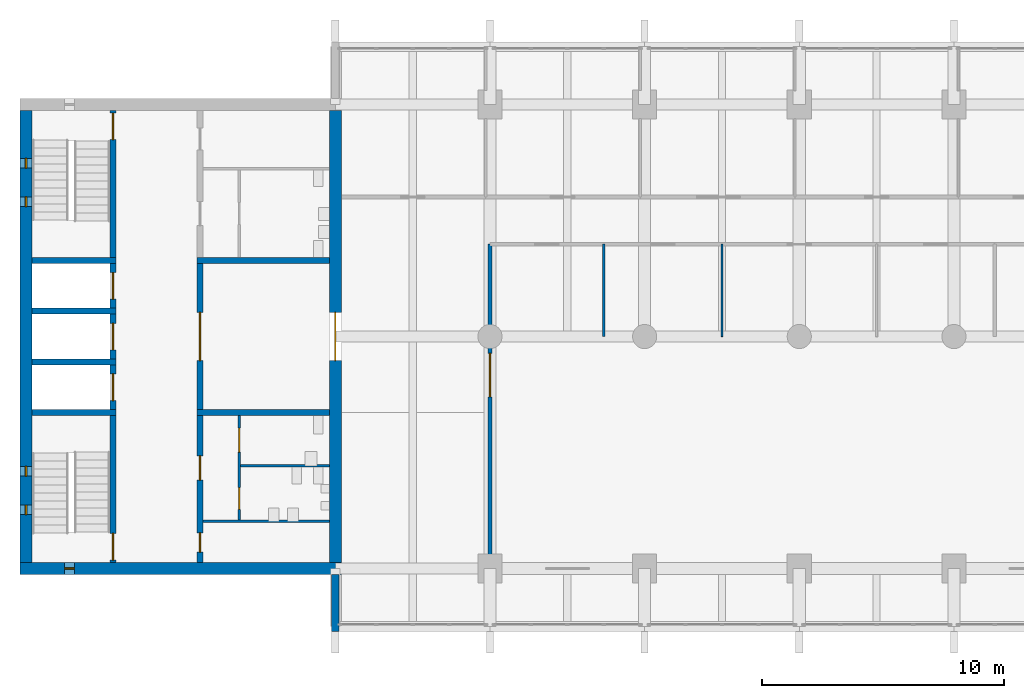
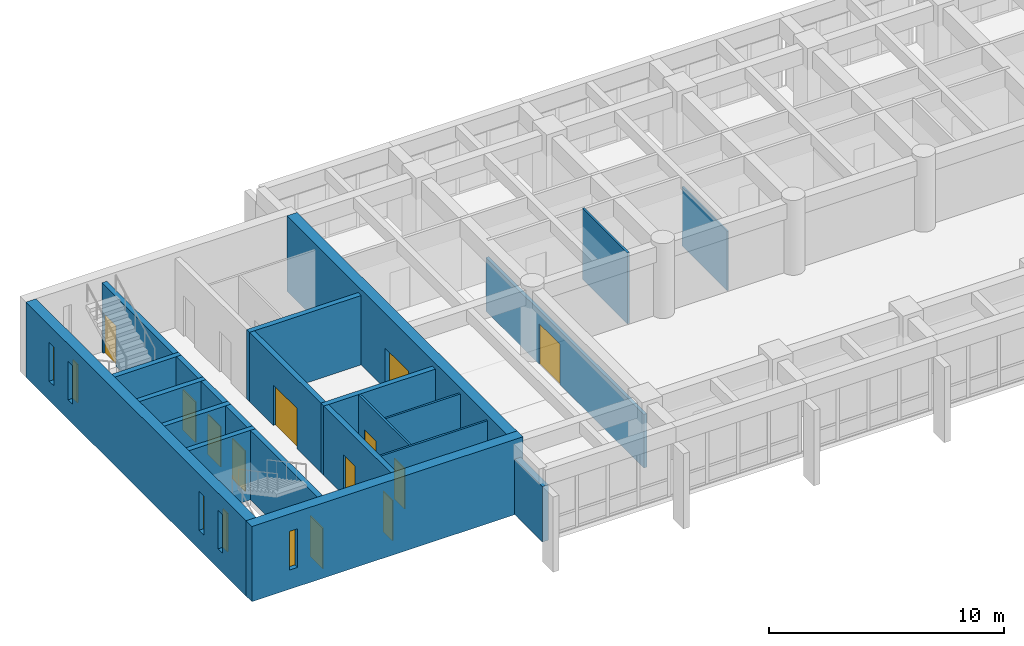
# One storey, part 9 of 15: 23 walls, 12 doors, 5 windows, 17 openings.
"""IFC4 building model written with IfcOpenShell, lengths in metres."""

from ifc_helpers import new_model, si_unit, direction, frame, frame_2d, origin, place, context, subcontext, project, spatial, rectangle, extrude, material, layer, layer_set, type_object, element, fill, save


model = new_model("IFC4")

# Units and contexts
model_context = context("Model", 3, precision=1e-05, world=origin(), true_north=direction((0.0, 1.0)))
body_context = subcontext(model_context, "Body", "Model", "MODEL_VIEW")
ifc_project = project(units=[si_unit("LENGTHUNIT", "METRE"), si_unit("AREAUNIT", "SQUARE_METRE"), si_unit("VOLUMEUNIT", "CUBIC_METRE"), si_unit("PLANEANGLEUNIT", "RADIAN"), si_unit("MASSUNIT", "GRAM", prefix="KILO")], contexts=[model_context])

# Site, building, storey
site_placement = place(None, origin())
site = spatial("IfcSite", under=ifc_project, at=site_placement, CompositionType="ELEMENT")
building_placement = place(site_placement, origin())
building = spatial("IfcBuilding", under=site, at=building_placement, Name="Fogon Plaza Fire Station and Headquarters Tower", CompositionType="ELEMENT")
storey_placement = place(building_placement, frame((0.0, 0.0, 32.699951171875)))
storey = spatial("IfcBuildingStorey", under=building, at=storey_placement, Name="L08", CompositionType="ELEMENT", Elevation=32.699951171875)

# Walls
ifc_material_1 = material(Name="Concrete C40", Category="concrete")
ifc_layer_1 = layer(ifc_material_1, 0.25)
ifc_layer_set_1 = layer_set([ifc_layer_1], Name="Concrete C40")
wall_type_1 = type_object("IfcWallType", Name="Core Wall RC 250", PredefinedType="SOLIDWALL", material=ifc_layer_set_1)
for number, where, z_axis, x_axis, name in (
    (1, (13.050048828125, 40.050048828125, 0.0), (0.0, 0.0, 1.0), (1.0, 0.0, 0.0), "Core A shaft wall"),
    (2, (13.050048828125, 42.14990234375, 0.0), (0.0, 0.0, 1.0), (1.0, 0.0, 0.0), "Core A shaft wall"),
    (3, (13.050048828125, 44.25, 0.0), (0.0, 0.0, 1.0), (1.0, 0.0, 0.0), "Core A shaft wall"),
    (4, (13.050048828125, 46.35009765625, 0.0), (0.0, 0.0, 1.0), (1.0, 0.0, 0.0), "Core A shaft wall"),
):
    element("IfcWall", number, at=place(storey_placement, frame(where, z_axis=z_axis, x_axis=x_axis)), inside=storey, type_object=wall_type_1, Name=name, PredefinedType="SOLIDWALL", context=body_context, shape_type="SweptSolid", body=[
        extrude(rectangle(XDim=3.474853515625, YDim=0.25, at=frame_2d((1.7373046875, 0.0))), origin(), (0.0, 0.0, 1.0), 3.60009765625),
    ])

# Wall, opening, door
wall_1_placement = place(storey_placement, frame((16.39990234375, 33.85009765625, 0.0), z_axis=(0.0, 0.0, 1.0), x_axis=(0.0, 1.0, 0.0)))
wall_1 = element("IfcWall", 5, at=wall_1_placement, inside=storey, type_object=wall_type_1, Name="Core A shaft wall", PredefinedType="SOLIDWALL", context=body_context, shape_type="SweptSolid", body=[
    extrude(rectangle(XDim=6.074951171875, YDim=0.25, at=frame_2d((3.03759765625, 0.0))), origin(), (0.0, 0.0, 1.0), 3.60009765625),
])
opening_1_placement = place(wall_1_placement, frame((0.10009765625, 0.0, 0.0)))
opening_1 = element("IfcOpeningElement", 6, at=opening_1_placement, cuts=wall_1, Name="Opening L08-D01", PredefinedType="OPENING", context=body_context, shape_type="SweptSolid", body=[
    extrude(rectangle(XDim=1.10009765625, YDim=2.10009765625, at=frame_2d((0.550048828125, 1.050048828125))), frame((0.0, 0.135009765625, 0.0), z_axis=(0.0, -1.0, 0.0), x_axis=(1.0, 0.0, 0.0)), (0.0, 0.0, 1.0), 0.27001953125),
])
ifc_material_2 = material(Name="Steel Fire Door Leaf", Category="steel")
door_type_1 = type_object("IfcDoorType", Name="Stair Door Single 1100x2100", OperationType="SINGLE_SWING_LEFT", PredefinedType="DOOR", material=ifc_material_2)
door_1_placement = place(opening_1_placement, origin())
door_1 = element("IfcDoor", 7, at=door_1_placement, inside=storey, type_object=door_type_1, Name="Stair door ST1", OperationType="SINGLE_SWING_LEFT", OverallHeight=2.10009765625, OverallWidth=1.10009765625, PredefinedType="DOOR", context=body_context, shape_type="SweptSolid", body=[
    extrude(rectangle(XDim=1.10009765625, YDim=2.10009765625, at=frame_2d((0.550048828125, 1.050048828125))), frame((0.0, 0.02490234375, 0.0), z_axis=(0.0, -1.0, 0.0), x_axis=(1.0, 0.0, 0.0)), (0.0, 0.0, 1.0), 0.050048828125),
])
fill(opening_1, door_1)

wall_2_placement = place(storey_placement, frame((16.39990234375, 40.175048828125, 0.0), z_axis=(0.0, 0.0, 1.0), x_axis=(0.0, 1.0, 0.0)))
wall_2 = element("IfcWall", 8, at=wall_2_placement, inside=storey, type_object=wall_type_1, Name="Core A shaft wall", PredefinedType="SOLIDWALL", context=body_context, shape_type="SweptSolid", body=[
    extrude(rectangle(XDim=1.849853515625, YDim=0.25, at=frame_2d((0.9248046875, 0.0))), origin(), (0.0, 0.0, 1.0), 3.60009765625),
])
opening_2_placement = place(wall_2_placement, frame((0.375, 0.0, 0.0)))
opening_2 = element("IfcOpeningElement", 9, at=opening_2_placement, cuts=wall_2, Name="Opening L08-D03", PredefinedType="OPENING", context=body_context, shape_type="SweptSolid", body=[
    extrude(rectangle(XDim=1.10009765625, YDim=2.10009765625, at=frame_2d((0.550048828125, 1.050048828125))), frame((0.0, 0.135009765625, 0.0), z_axis=(0.0, -1.0, 0.0), x_axis=(1.0, 0.0, 0.0)), (0.0, 0.0, 1.0), 0.27001953125),
])
ifc_material_3 = material(Name="Stainless Steel", Category="steel")
door_type_2 = type_object("IfcDoorType", Name="Lift Landing Door 1100x2100", OperationType="SLIDING_TO_LEFT", PredefinedType="DOOR", material=ifc_material_3)
door_2_placement = place(opening_2_placement, origin())
door_2 = element("IfcDoor", 10, at=door_2_placement, inside=storey, type_object=door_type_2, Name="Lift LP1 landing door", OperationType="SLIDING_TO_LEFT", OverallHeight=2.10009765625, OverallWidth=1.10009765625, PredefinedType="DOOR", context=body_context, shape_type="SweptSolid", body=[
    extrude(rectangle(XDim=1.10009765625, YDim=2.10009765625, at=frame_2d((0.550048828125, 1.050048828125))), frame((0.0, 0.02490234375, 0.0), z_axis=(0.0, -1.0, 0.0), x_axis=(1.0, 0.0, 0.0)), (0.0, 0.0, 1.0), 0.050048828125),
])
fill(opening_2, door_2)

wall_3_placement = place(storey_placement, frame((16.39990234375, 42.27490234375, 0.0), z_axis=(0.0, 0.0, 1.0), x_axis=(0.0, 1.0, 0.0)))
wall_3 = element("IfcWall", 11, at=wall_3_placement, inside=storey, type_object=wall_type_1, Name="Core A shaft wall", PredefinedType="SOLIDWALL", context=body_context, shape_type="SweptSolid", body=[
    extrude(rectangle(XDim=1.85009765625, YDim=0.25, at=frame_2d((0.925048828125, 0.0))), origin(), (0.0, 0.0, 1.0), 3.60009765625),
])
opening_3_placement = place(wall_3_placement, frame((0.375, 0.0, 0.0)))
opening_3 = element("IfcOpeningElement", 12, at=opening_3_placement, cuts=wall_3, Name="Opening L08-D04", PredefinedType="OPENING", context=body_context, shape_type="SweptSolid", body=[
    extrude(rectangle(XDim=1.10009765625, YDim=2.10009765625, at=frame_2d((0.550048828125, 1.050048828125))), frame((0.0, 0.135009765625, 0.0), z_axis=(0.0, -1.0, 0.0), x_axis=(1.0, 0.0, 0.0)), (0.0, 0.0, 1.0), 0.27001953125),
])
door_3_placement = place(opening_3_placement, origin())
door_3 = element("IfcDoor", 13, at=door_3_placement, inside=storey, type_object=door_type_2, Name="Lift LP2 landing door", OperationType="SLIDING_TO_LEFT", OverallHeight=2.10009765625, OverallWidth=1.10009765625, PredefinedType="DOOR", context=body_context, shape_type="SweptSolid", body=[
    extrude(rectangle(XDim=1.10009765625, YDim=2.10009765625, at=frame_2d((0.550048828125, 1.050048828125))), frame((0.0, 0.02490234375, 0.0), z_axis=(0.0, -1.0, 0.0), x_axis=(1.0, 0.0, 0.0)), (0.0, 0.0, 1.0), 0.050048828125),
])
fill(opening_3, door_3)

wall_4_placement = place(storey_placement, frame((16.39990234375, 44.375, 0.0), z_axis=(0.0, 0.0, 1.0), x_axis=(0.0, 1.0, 0.0)))
wall_4 = element("IfcWall", 14, at=wall_4_placement, inside=storey, type_object=wall_type_1, Name="Core A shaft wall", PredefinedType="SOLIDWALL", context=body_context, shape_type="SweptSolid", body=[
    extrude(rectangle(XDim=1.85009765625, YDim=0.25, at=frame_2d((0.925048828125, 0.0))), origin(), (0.0, 0.0, 1.0), 3.60009765625),
])
opening_4_placement = place(wall_4_placement, frame((0.375, 0.0, 0.0)))
opening_4 = element("IfcOpeningElement", 15, at=opening_4_placement, cuts=wall_4, Name="Opening L08-D05", PredefinedType="OPENING", context=body_context, shape_type="SweptSolid", body=[
    extrude(rectangle(XDim=1.10009765625, YDim=2.10009765625, at=frame_2d((0.550048828125, 1.050048828125))), frame((0.0, 0.135009765625, 0.0), z_axis=(0.0, -1.0, 0.0), x_axis=(1.0, 0.0, 0.0)), (0.0, 0.0, 1.0), 0.27001953125),
])
door_4_placement = place(opening_4_placement, origin())
door_4 = element("IfcDoor", 16, at=door_4_placement, inside=storey, type_object=door_type_2, Name="Lift FL1 landing door", OperationType="SLIDING_TO_LEFT", OverallHeight=2.10009765625, OverallWidth=1.10009765625, PredefinedType="DOOR", context=body_context, shape_type="SweptSolid", body=[
    extrude(rectangle(XDim=1.10009765625, YDim=2.10009765625, at=frame_2d((0.550048828125, 1.050048828125))), frame((0.0, 0.02490234375, 0.0), z_axis=(0.0, -1.0, 0.0), x_axis=(1.0, 0.0, 0.0)), (0.0, 0.0, 1.0), 0.050048828125),
])
fill(opening_4, door_4)

wall_5_placement = place(storey_placement, frame((16.39990234375, 46.47509765625, 0.0), z_axis=(0.0, 0.0, 1.0), x_axis=(0.0, 1.0, 0.0)))
wall_5 = element("IfcWall", 17, at=wall_5_placement, inside=storey, type_object=wall_type_1, Name="Core A shaft wall", PredefinedType="SOLIDWALL", context=body_context, shape_type="SweptSolid", body=[
    extrude(rectangle(XDim=6.074951171875, YDim=0.25, at=frame_2d((3.03759765625, 0.0))), origin(), (0.0, 0.0, 1.0), 3.60009765625),
])
opening_5_placement = place(wall_5_placement, frame((4.875, 0.0, 0.0)))
opening_5 = element("IfcOpeningElement", 18, at=opening_5_placement, cuts=wall_5, Name="Opening L08-D02", PredefinedType="OPENING", context=body_context, shape_type="SweptSolid", body=[
    extrude(rectangle(XDim=1.10009765625, YDim=2.10009765625, at=frame_2d((0.550048828125, 1.050048828125))), frame((0.0, 0.135009765625, 0.0), z_axis=(0.0, -1.0, 0.0), x_axis=(1.0, 0.0, 0.0)), (0.0, 0.0, 1.0), 0.27001953125),
])
door_5_placement = place(opening_5_placement, origin())
door_5 = element("IfcDoor", 19, at=door_5_placement, inside=storey, type_object=door_type_1, Name="Stair door ST2", OperationType="SINGLE_SWING_RIGHT", OverallHeight=2.10009765625, OverallWidth=1.10009765625, PredefinedType="DOOR", context=body_context, shape_type="SweptSolid", body=[
    extrude(rectangle(XDim=1.10009765625, YDim=2.10009765625, at=frame_2d((0.550048828125, 1.050048828125))), frame((0.0, 0.02490234375, 0.0), z_axis=(0.0, -1.0, 0.0), x_axis=(1.0, 0.0, 0.0)), (0.0, 0.0, 1.0), 0.050048828125),
])
fill(opening_5, door_5)

# Wall, openings, doors
wall_6_placement = place(storey_placement, frame((20.0, 33.85009765625, 0.0), z_axis=(0.0, 0.0, 1.0), x_axis=(0.0, 1.0, 0.0)))
wall_6 = element("IfcWall", 20, at=wall_6_placement, inside=storey, type_object=wall_type_1, Name="Core A shaft wall", PredefinedType="SOLIDWALL", context=body_context, shape_type="SweptSolid", body=[
    extrude(rectangle(XDim=6.074951171875, YDim=0.25, at=frame_2d((3.03759765625, 0.0))), origin(), (0.0, 0.0, 1.0), 3.60009765625),
])
opening_6_placement = place(wall_6_placement, frame((0.425048828125, 0.0, 0.0)))
opening_6 = element("IfcOpeningElement", 21, at=opening_6_placement, cuts=wall_6, Name="Opening L08-D08", PredefinedType="OPENING", context=body_context, shape_type="SweptSolid", body=[
    extrude(rectangle(XDim=0.800048828125, YDim=2.10009765625, at=frame_2d((0.39990234375, 1.050048828125))), frame((0.0, 0.135009765625, 0.0), z_axis=(0.0, -1.0, 0.0), x_axis=(1.0, 0.0, 0.0)), (0.0, 0.0, 1.0), 0.27001953125),
])
opening_7_placement = place(wall_6_placement, frame((3.41259765625, 0.0, 0.0)))
opening_7 = element("IfcOpeningElement", 22, at=opening_7_placement, cuts=wall_6, Name="Opening L08-D09", PredefinedType="OPENING", context=body_context, shape_type="SweptSolid", body=[
    extrude(rectangle(XDim=1.0, YDim=2.10009765625, at=frame_2d((0.5, 1.050048828125))), frame((0.0, 0.135009765625, 0.0), z_axis=(0.0, -1.0, 0.0), x_axis=(1.0, 0.0, 0.0)), (0.0, 0.0, 1.0), 0.27001953125),
])
ifc_material_4 = material(Name="Timber Door Leaf", Category="wood")
door_type_3 = type_object("IfcDoorType", Name="Cleaner Store Single 800x2100", OperationType="SINGLE_SWING_LEFT", PredefinedType="DOOR", material=ifc_material_4)
door_6_placement = place(opening_6_placement, frame((0.800048828125, 0.0, 0.0), z_axis=(0.0, 0.0, 1.0), x_axis=(-1.0, 0.0, 0.0)))
door_6 = element("IfcDoor", 23, at=door_6_placement, inside=storey, type_object=door_type_3, Name="Cleaner's store A door", OperationType="SINGLE_SWING_LEFT", OverallHeight=2.10009765625, OverallWidth=0.800048828125, PredefinedType="DOOR", context=body_context, shape_type="SweptSolid", body=[
    extrude(rectangle(XDim=0.800048828125, YDim=2.10009765625, at=frame_2d((0.39990234375, 1.050048828125))), frame((0.0, 0.02490234375, 0.0), z_axis=(0.0, -1.0, 0.0), x_axis=(1.0, 0.0, 0.0)), (0.0, 0.0, 1.0), 0.050048828125),
])
fill(opening_6, door_6)
ifc_material_5 = material(Name="Timber fire door", Category="wood")
door_type_4 = type_object("IfcDoorType", Name="WC Lobby Single 1000x2100", OperationType="SINGLE_SWING_LEFT", PredefinedType="DOOR", material=ifc_material_5)
door_7_placement = place(opening_7_placement, frame((1.0, 0.0, 0.0), z_axis=(0.0, 0.0, 1.0), x_axis=(-1.0, 0.0, 0.0)))
door_7 = element("IfcDoor", 24, at=door_7_placement, inside=storey, type_object=door_type_4, Name="Men's WC lobby A door", OperationType="SINGLE_SWING_RIGHT", OverallHeight=2.10009765625, OverallWidth=1.0, PredefinedType="DOOR", context=body_context, shape_type="SweptSolid", body=[
    extrude(rectangle(XDim=1.0, YDim=2.10009765625, at=frame_2d((0.5, 1.050048828125))), frame((0.0, 0.02490234375, 0.0), z_axis=(0.0, -1.0, 0.0), x_axis=(1.0, 0.0, 0.0)), (0.0, 0.0, 1.0), 0.050048828125),
])
fill(opening_7, door_7)

# Wall, opening, door
wall_7_placement = place(storey_placement, frame((20.0, 40.175048828125, 0.0), z_axis=(0.0, 0.0, 1.0), x_axis=(0.0, 1.0, 0.0)))
wall_7 = element("IfcWall", 25, at=wall_7_placement, inside=storey, type_object=wall_type_1, Name="Core A shaft wall", PredefinedType="SOLIDWALL", context=body_context, shape_type="SweptSolid", body=[
    extrude(rectangle(XDim=6.050048828125, YDim=0.25, at=frame_2d((3.02490234375, 0.0))), origin(), (0.0, 0.0, 1.0), 3.60009765625),
])
opening_8_placement = place(wall_7_placement, frame((2.02490234375, 0.0, 0.0)))
opening_8 = element("IfcOpeningElement", 26, at=opening_8_placement, cuts=wall_7, Name="Opening L08-D06", PredefinedType="OPENING", context=body_context, shape_type="SweptSolid", body=[
    extrude(rectangle(XDim=2.0, YDim=2.10009765625, at=frame_2d((1.0, 1.050048828125))), frame((0.0, 0.135009765625, 0.0), z_axis=(0.0, -1.0, 0.0), x_axis=(1.0, 0.0, 0.0)), (0.0, 0.0, 1.0), 0.27001953125),
])
ifc_material_6 = material(Name="Steel Fire Door Leaf", Category="steel")
door_type_5 = type_object("IfcDoorType", Name="Vestibule Double 2000x2100", OperationType="DOUBLE_DOOR_SINGLE_SWING", PredefinedType="DOOR", material=ifc_material_6)
door_8_placement = place(opening_8_placement, frame((2.0, 0.0, 0.0), z_axis=(0.0, 0.0, 1.0), x_axis=(-1.0, 0.0, 0.0)))
door_8 = element("IfcDoor", 27, at=door_8_placement, inside=storey, type_object=door_type_5, Name="Vestibule A door", OperationType="DOUBLE_DOOR_SINGLE_SWING", OverallHeight=2.10009765625, OverallWidth=2.0, PredefinedType="DOOR", context=body_context, shape_type="SweptSolid", body=[
    extrude(rectangle(XDim=2.0, YDim=2.10009765625, at=frame_2d((1.0, 1.050048828125))), frame((0.0, 0.02490234375, 0.0), z_axis=(0.0, -1.0, 0.0), x_axis=(1.0, 0.0, 0.0)), (0.0, 0.0, 1.0), 0.050048828125),
])
fill(opening_8, door_8)

# Walls
for number, where, z_axis, x_axis, name in (
    (28, (19.875, 40.050048828125, 0.0), (0.0, 0.0, 1.0), (1.0, 0.0, 0.0), "Core A shaft wall"),
    (29, (19.875, 46.35009765625, 0.0), (0.0, 0.0, 1.0), (1.0, 0.0, 0.0), "Core A shaft wall"),
):
    element("IfcWall", number, at=place(storey_placement, frame(where, z_axis=z_axis, x_axis=x_axis)), inside=storey, type_object=wall_type_1, Name=name, PredefinedType="SOLIDWALL", context=body_context, shape_type="SweptSolid", body=[
        extrude(rectangle(XDim=5.47509765625, YDim=0.25, at=frame_2d((2.737548828125, 0.0))), origin(), (0.0, 0.0, 1.0), 3.60009765625),
    ])
ifc_material_7 = material(Name="Concrete C40", Category="concrete")
ifc_layer_2 = layer(ifc_material_7, 0.300048828125)
ifc_layer_set_2 = layer_set([ifc_layer_2], Name="Concrete C40")
wall_type_2 = type_object("IfcWallType", Name="Fair-faced RC Return Panel 300", PredefinedType="SOLIDWALL", material=ifc_layer_set_2)
wall_8_placement = place(storey_placement, frame((25.60009765625, 31.0, 0.0), z_axis=(0.0, 0.0, 1.0), x_axis=(0.0, 1.0, 0.0)))
element("IfcWall", 30, at=wall_8_placement, inside=storey, type_object=wall_type_2, Name="Bar end return WS L08", PredefinedType="SOLIDWALL", context=body_context, shape_type="SweptSolid", body=[
    extrude(rectangle(XDim=2.35009765625, YDim=0.300048828125, at=frame_2d((1.175048828125, 0.0))), origin(), (0.0, 0.0, 1.0), 2.880126953125),
])
ifc_material_8 = material(Name="Blockwork", Category="masonry")
ifc_layer_3 = layer(ifc_material_8, 0.10009765625)
ifc_layer_set_3 = layer_set([ifc_layer_3], Name="Blockwork")
wall_type_3 = type_object("IfcWallType", Name="Partition Blockwork 100", PredefinedType="PARTITIONING", material=ifc_layer_set_3)
wall_9_placement = place(storey_placement, frame((20.125, 35.550048828125, 0.0), z_axis=(0.0, 0.0, 1.0), x_axis=(1.0, 0.0, 0.0)))
element("IfcWall", 31, at=wall_9_placement, inside=storey, type_object=wall_type_3, Name="Cleaner's store partition", PredefinedType="PARTITIONING", context=body_context, shape_type="SweptSolid", body=[
    extrude(rectangle(XDim=5.22509765625, YDim=0.10009765625, at=frame_2d((2.612548828125, 0.0))), origin(), (0.0, 0.0, 1.0), 3.60009765625),
])

# Wall, openings, doors
wall_10_placement = place(storey_placement, frame((21.625, 35.60009765625, 0.0), z_axis=(0.0, 0.0, 1.0), x_axis=(0.0, 1.0, 0.0)))
wall_10 = element("IfcWall", 32, at=wall_10_placement, inside=storey, type_object=wall_type_3, Name="WC block partition", PredefinedType="PARTITIONING", context=body_context, shape_type="SweptSolid", body=[
    extrude(rectangle(XDim=4.324951171875, YDim=0.10009765625, at=frame_2d((2.16259765625, 0.0))), origin(), (0.0, 0.0, 1.0), 3.60009765625),
])
opening_9_placement = place(wall_10_placement, frame((0.449951171875, 0.0, 0.0)))
opening_9 = element("IfcOpeningElement", 33, at=opening_9_placement, cuts=wall_10, Name="Opening L08-D10", PredefinedType="OPENING", context=body_context, shape_type="SweptSolid", body=[
    extrude(rectangle(XDim=0.89990234375, YDim=2.10009765625, at=frame_2d((0.449951171875, 1.050048828125))), frame((0.0, 0.06005859375, 0.0), z_axis=(0.0, -1.0, 0.0), x_axis=(1.0, 0.0, 0.0)), (0.0, 0.0, 1.0), 0.1201171875),
])
opening_10_placement = place(wall_10_placement, frame((2.8125, 0.0, 0.0)))
opening_10 = element("IfcOpeningElement", 34, at=opening_10_placement, cuts=wall_10, Name="Opening L08-D11", PredefinedType="OPENING", context=body_context, shape_type="SweptSolid", body=[
    extrude(rectangle(XDim=1.0, YDim=2.10009765625, at=frame_2d((0.5, 1.050048828125))), frame((0.0, 0.06005859375, 0.0), z_axis=(0.0, -1.0, 0.0), x_axis=(1.0, 0.0, 0.0)), (0.0, 0.0, 1.0), 0.1201171875),
])
ifc_material_9 = material(Name="Timber Door Leaf", Category="wood")
door_type_6 = type_object("IfcDoorType", Name="Accessible WC Single 1000x2100", OperationType="SINGLE_SWING_LEFT", PredefinedType="DOOR", material=ifc_material_9)
door_9_placement = place(opening_10_placement, frame((1.0, 0.0, 0.0), z_axis=(0.0, 0.0, 1.0), x_axis=(-1.0, 0.0, 0.0)))
door_9 = element("IfcDoor", 35, at=door_9_placement, inside=storey, type_object=door_type_6, Name="Accessible WC A door", OperationType="SINGLE_SWING_RIGHT", OverallHeight=2.10009765625, OverallWidth=1.0, PredefinedType="DOOR", context=body_context, shape_type="SweptSolid", body=[
    extrude(rectangle(XDim=1.0, YDim=2.10009765625, at=frame_2d((0.5, 1.050048828125))), frame((0.0, 0.02490234375, 0.0), z_axis=(0.0, -1.0, 0.0), x_axis=(1.0, 0.0, 0.0)), (0.0, 0.0, 1.0), 0.050048828125),
])
fill(opening_10, door_9)
ifc_material_10 = material(Name="Timber Door Leaf", Category="wood")
door_type_7 = type_object("IfcDoorType", Name="WC Single 900x2100", OperationType="SINGLE_SWING_LEFT", PredefinedType="DOOR", material=ifc_material_10)
door_10_placement = place(opening_9_placement, frame((0.89990234375, 0.0, 0.0), z_axis=(0.0, 0.0, 1.0), x_axis=(-1.0, 0.0, 0.0)))
door_10 = element("IfcDoor", 36, at=door_10_placement, inside=storey, type_object=door_type_7, Name="Men's WC A door", OperationType="SINGLE_SWING_RIGHT", OverallHeight=2.10009765625, OverallWidth=0.89990234375, PredefinedType="DOOR", context=body_context, shape_type="SweptSolid", body=[
    extrude(rectangle(XDim=0.89990234375, YDim=2.10009765625, at=frame_2d((0.449951171875, 1.050048828125))), frame((0.0, 0.02490234375, 0.0), z_axis=(0.0, -1.0, 0.0), x_axis=(1.0, 0.0, 0.0)), (0.0, 0.0, 1.0), 0.050048828125),
])
fill(opening_9, door_10)

# Wall
wall_11_placement = place(storey_placement, frame((21.675048828125, 37.85009765625, 0.0), z_axis=(0.0, 0.0, 1.0), x_axis=(1.0, 0.0, 0.0)))
element("IfcWall", 37, at=wall_11_placement, inside=storey, type_object=wall_type_3, Name="WC block partition", PredefinedType="PARTITIONING", context=body_context, shape_type="SweptSolid", body=[
    extrude(rectangle(XDim=3.675048828125, YDim=0.10009765625, at=frame_2d((1.83740234375, 0.0))), origin(), (0.0, 0.0, 1.0), 3.60009765625),
])

# Wall, opening, window
ifc_material_11 = material(Name="Concrete C40", Category="concrete")
ifc_layer_4 = layer(ifc_material_11, 0.5)
ifc_layer_set_4 = layer_set([ifc_layer_4], Name="Concrete C40")
wall_type_4 = type_object("IfcWallType", Name="Shear wall 500 SW50", PredefinedType="SHEAR", material=ifc_layer_set_4)
wall_12_placement = place(storey_placement, frame((12.550048828125, 33.60009765625, 0.0), z_axis=(0.0, 0.0, 1.0), x_axis=(1.0, 0.0, 0.0)))
wall_12 = element("IfcWall", 38, at=wall_12_placement, inside=storey, type_object=wall_type_4, Name="wall-coreA-S-L08", PredefinedType="SHEAR", context=body_context, shape_type="SweptSolid", body=[
    extrude(rectangle(XDim=13.300048828125, YDim=0.5, at=frame_2d((6.64990234375, 0.0))), origin(), (0.0, 0.0, 1.0), 3.900146484375),
])
opening_11_placement = place(wall_12_placement, frame((1.85009765625, 0.0, 1.0)))
opening_11 = element("IfcOpeningElement", 39, at=opening_11_placement, cuts=wall_12, Name="Opening WS1", PredefinedType="OPENING", context=body_context, shape_type="SweptSolid", body=[
    extrude(rectangle(XDim=0.39990234375, YDim=2.0, at=frame_2d((0.199951171875, 1.0))), frame((0.0, 0.260009765625, 0.0), z_axis=(0.0, -1.0, 0.0), x_axis=(1.0, 0.0, 0.0)), (0.0, 0.0, 1.0), 0.52001953125),
])
ifc_material_12 = material(Name="Aluminium framed double glazing", Category="aluminium")
window_type = type_object("IfcWindowType", Name="Slit Window WS1 400x2000", PartitioningType="SINGLE_PANEL", PredefinedType="WINDOW", material=ifc_material_12)
window_1_placement = place(opening_11_placement, origin())
window_1 = element("IfcWindow", 40, at=window_1_placement, inside=storey, type_object=window_type, Name="Slit window A5 L08", OverallHeight=2.0, OverallWidth=0.39990234375, PartitioningType="SINGLE_PANEL", PredefinedType="WINDOW", context=body_context, shape_type="SweptSolid", body=[
    extrude(rectangle(XDim=0.39990234375, YDim=2.0, at=frame_2d((0.199951171875, 1.0))), frame((0.0, 0.030029296875, 0.0), z_axis=(0.0, -1.0, 0.0), x_axis=(1.0, 0.0, 0.0)), (0.0, 0.0, 1.0), 0.06005859375),
])
fill(opening_11, window_1)

# Wall, opening, door
wall_13_placement = place(storey_placement, frame((25.60009765625, 33.85009765625, 0.0), z_axis=(0.0, 0.0, 1.0), x_axis=(0.0, 1.0, 0.0)))
wall_13 = element("IfcWall", 41, at=wall_13_placement, inside=storey, type_object=wall_type_4, Name="wall-coreA-E-L08", PredefinedType="SHEAR", context=body_context, shape_type="SweptSolid", body=[
    extrude(rectangle(XDim=18.699951171875, YDim=0.5, at=frame_2d((9.35009765625, 0.0))), origin(), (0.0, 0.0, 1.0), 3.900146484375),
])
opening_12_placement = place(wall_13_placement, frame((8.35009765625, 0.0, 0.0)))
opening_12 = element("IfcOpeningElement", 42, at=opening_12_placement, cuts=wall_13, Name="Opening L08-D07", PredefinedType="OPENING", context=body_context, shape_type="SweptSolid", body=[
    extrude(rectangle(XDim=2.0, YDim=2.10009765625, at=frame_2d((1.0, 1.050048828125))), frame((0.0, 0.260009765625, 0.0), z_axis=(0.0, -1.0, 0.0), x_axis=(1.0, 0.0, 0.0)), (0.0, 0.0, 1.0), 0.52001953125),
])
door_11_placement = place(opening_12_placement, origin())
door_11 = element("IfcDoor", 43, at=door_11_placement, inside=storey, type_object=door_type_5, Name="Vestibule A door to the office zone", OperationType="DOUBLE_DOOR_SINGLE_SWING", OverallHeight=2.10009765625, OverallWidth=2.0, PredefinedType="DOOR", context=body_context, shape_type="SweptSolid", body=[
    extrude(rectangle(XDim=2.0, YDim=2.10009765625, at=frame_2d((1.0, 1.050048828125))), frame((0.0, 0.02490234375, 0.0), z_axis=(0.0, -1.0, 0.0), x_axis=(1.0, 0.0, 0.0)), (0.0, 0.0, 1.0), 0.050048828125),
])
fill(opening_12, door_11)

# Wall, openings, windows
wall_14_placement = place(storey_placement, frame((12.800048828125, 33.85009765625, 0.0), z_axis=(0.0, 0.0, 1.0), x_axis=(0.0, 1.0, 0.0)))
wall_14 = element("IfcWall", 44, at=wall_14_placement, inside=storey, type_object=wall_type_4, Name="wall-coreA-W-L08", PredefinedType="SHEAR", context=body_context, shape_type="SweptSolid", body=[
    extrude(rectangle(XDim=18.699951171875, YDim=0.5, at=frame_2d((9.35009765625, 0.0))), origin(), (0.0, 0.0, 1.0), 3.900146484375),
])
opening_13_placement = place(wall_14_placement, frame((1.97509765625, 0.0, 1.0)))
opening_13 = element("IfcOpeningElement", 45, at=opening_13_placement, cuts=wall_14, Name="Opening WS1", PredefinedType="OPENING", context=body_context, shape_type="SweptSolid", body=[
    extrude(rectangle(XDim=0.39990234375, YDim=2.0, at=frame_2d((0.199951171875, 1.0))), frame((0.0, 0.260009765625, 0.0), z_axis=(0.0, -1.0, 0.0), x_axis=(1.0, 0.0, 0.0)), (0.0, 0.0, 1.0), 0.52001953125),
])
opening_14_placement = place(wall_14_placement, frame((3.574951171875, 0.0, 1.0)))
opening_14 = element("IfcOpeningElement", 46, at=opening_14_placement, cuts=wall_14, Name="Opening WS1", PredefinedType="OPENING", context=body_context, shape_type="SweptSolid", body=[
    extrude(rectangle(XDim=0.39990234375, YDim=2.0, at=frame_2d((0.199951171875, 1.0))), frame((0.0, 0.260009765625, 0.0), z_axis=(0.0, -1.0, 0.0), x_axis=(1.0, 0.0, 0.0)), (0.0, 0.0, 1.0), 0.52001953125),
])
opening_15_placement = place(wall_14_placement, frame((14.72509765625, 0.0, 1.0)))
opening_15 = element("IfcOpeningElement", 47, at=opening_15_placement, cuts=wall_14, Name="Opening WS1", PredefinedType="OPENING", context=body_context, shape_type="SweptSolid", body=[
    extrude(rectangle(XDim=0.39990234375, YDim=2.0, at=frame_2d((0.199951171875, 1.0))), frame((0.0, 0.260009765625, 0.0), z_axis=(0.0, -1.0, 0.0), x_axis=(1.0, 0.0, 0.0)), (0.0, 0.0, 1.0), 0.52001953125),
])
opening_16_placement = place(wall_14_placement, frame((16.324951171875, 0.0, 1.0)))
opening_16 = element("IfcOpeningElement", 48, at=opening_16_placement, cuts=wall_14, Name="Opening WS1", PredefinedType="OPENING", context=body_context, shape_type="SweptSolid", body=[
    extrude(rectangle(XDim=0.39990234375, YDim=2.0, at=frame_2d((0.199951171875, 1.0))), frame((0.0, 0.260009765625, 0.0), z_axis=(0.0, -1.0, 0.0), x_axis=(1.0, 0.0, 0.0)), (0.0, 0.0, 1.0), 0.52001953125),
])
window_2_placement = place(opening_13_placement, origin())
window_2 = element("IfcWindow", 49, at=window_2_placement, inside=storey, type_object=window_type, Name="Slit window A1 L08", OverallHeight=2.0, OverallWidth=0.39990234375, PartitioningType="SINGLE_PANEL", PredefinedType="WINDOW", context=body_context, shape_type="SweptSolid", body=[
    extrude(rectangle(XDim=0.39990234375, YDim=2.0, at=frame_2d((0.199951171875, 1.0))), frame((0.0, 0.030029296875, 0.0), z_axis=(0.0, -1.0, 0.0), x_axis=(1.0, 0.0, 0.0)), (0.0, 0.0, 1.0), 0.06005859375),
])
fill(opening_13, window_2)
window_3_placement = place(opening_14_placement, origin())
window_3 = element("IfcWindow", 50, at=window_3_placement, inside=storey, type_object=window_type, Name="Slit window A2 L08", OverallHeight=2.0, OverallWidth=0.39990234375, PartitioningType="SINGLE_PANEL", PredefinedType="WINDOW", context=body_context, shape_type="SweptSolid", body=[
    extrude(rectangle(XDim=0.39990234375, YDim=2.0, at=frame_2d((0.199951171875, 1.0))), frame((0.0, 0.030029296875, 0.0), z_axis=(0.0, -1.0, 0.0), x_axis=(1.0, 0.0, 0.0)), (0.0, 0.0, 1.0), 0.06005859375),
])
fill(opening_14, window_3)
window_4_placement = place(opening_15_placement, origin())
window_4 = element("IfcWindow", 51, at=window_4_placement, inside=storey, type_object=window_type, Name="Slit window A3 L08", OverallHeight=2.0, OverallWidth=0.39990234375, PartitioningType="SINGLE_PANEL", PredefinedType="WINDOW", context=body_context, shape_type="SweptSolid", body=[
    extrude(rectangle(XDim=0.39990234375, YDim=2.0, at=frame_2d((0.199951171875, 1.0))), frame((0.0, 0.030029296875, 0.0), z_axis=(0.0, -1.0, 0.0), x_axis=(1.0, 0.0, 0.0)), (0.0, 0.0, 1.0), 0.06005859375),
])
fill(opening_15, window_4)
window_5_placement = place(opening_16_placement, origin())
window_5 = element("IfcWindow", 52, at=window_5_placement, inside=storey, type_object=window_type, Name="Slit window A4 L08", OverallHeight=2.0, OverallWidth=0.39990234375, PartitioningType="SINGLE_PANEL", PredefinedType="WINDOW", context=body_context, shape_type="SweptSolid", body=[
    extrude(rectangle(XDim=0.39990234375, YDim=2.0, at=frame_2d((0.199951171875, 1.0))), frame((0.0, 0.030029296875, 0.0), z_axis=(0.0, -1.0, 0.0), x_axis=(1.0, 0.0, 0.0)), (0.0, 0.0, 1.0), 0.06005859375),
])
fill(opening_16, window_5)

# Wall, opening, door
ifc_material_13 = material(Name="Gypsum board on steel stud", Category="steel")
ifc_layer_5 = layer(ifc_material_13, 0.14990234375)
ifc_layer_set_5 = layer_set([ifc_layer_5], Name="Gypsum board on steel stud")
wall_type_5 = type_object("IfcWallType", Name="Tower corridor partition 150 EI 60 Beam Head 900", PredefinedType="PARTITIONING", material=ifc_layer_set_5)
wall_15_placement = place(storey_placement, frame((32.0, 33.60009765625, 0.0), z_axis=(0.0, 0.0, 1.0), x_axis=(0.0, 1.0, 0.0)))
wall_15 = element("IfcWall", 53, at=wall_15_placement, inside=storey, type_object=wall_type_5, Name="part-L08-26", PredefinedType="PARTITIONING", context=body_context, shape_type="SweptSolid", body=[
    extrude(rectangle(XDim=13.4248046875, YDim=0.14990234375, at=frame_2d((6.71240234375, 0.0))), origin(), (0.0, 0.0, 1.0), 2.780029296875),
])
opening_17_placement = place(wall_15_placement, frame((7.10009765625, 0.0, 0.0)))
opening_17 = element("IfcOpeningElement", 54, at=opening_17_placement, cuts=wall_15, Name="Opening L08-D40", PredefinedType="OPENING", context=body_context, shape_type="SweptSolid", body=[
    extrude(rectangle(XDim=1.800048828125, YDim=2.10009765625, at=frame_2d((0.89990234375, 1.050048828125))), frame((0.0, 0.0849609375, 0.0), z_axis=(0.0, -1.0, 0.0), x_axis=(1.0, 0.0, 0.0)), (0.0, 0.0, 1.0), 0.169921875),
])
ifc_material_14 = material(Name="Timber fire door", Category="wood")
door_type_8 = type_object("IfcDoorType", Name="Tower fire door double 1800 EI 20", OperationType="DOUBLE_DOOR_SINGLE_SWING", PredefinedType="DOOR", material=ifc_material_14)
door_12_placement = place(opening_17_placement, origin())
door_12 = element("IfcDoor", 55, at=door_12_placement, inside=storey, type_object=door_type_8, Name="door-L08-12", OperationType="DOUBLE_DOOR_SINGLE_SWING", OverallHeight=2.10009765625, OverallWidth=1.800048828125, PredefinedType="DOOR", context=body_context, shape_type="SweptSolid", body=[
    extrude(rectangle(XDim=1.800048828125, YDim=2.10009765625, at=frame_2d((0.89990234375, 1.050048828125))), frame((0.0, 0.02490234375, 0.0), z_axis=(0.0, -1.0, 0.0), x_axis=(1.0, 0.0, 0.0)), (0.0, 0.0, 1.0), 0.050048828125),
])
fill(opening_17, door_12)

# Walls
ifc_material_15 = material(Name="Glazed aluminium partition", Category="aluminium")
ifc_layer_6 = layer(ifc_material_15, 0.074951171875)
ifc_layer_set_6 = layer_set([ifc_layer_6], Name="Glazed aluminium partition")
wall_type_6 = type_object("IfcWallType", Name="Tower glazed partition 75 Beam Head 600", PredefinedType="PARTITIONING", material=ifc_layer_set_6)
wall_16_placement = place(storey_placement, frame((41.60009765625, 43.199951171875, 0.0), z_axis=(0.0, 0.0, 1.0), x_axis=(0.0, 1.0, 0.0)))
element("IfcWall", 56, at=wall_16_placement, inside=storey, type_object=wall_type_6, Name="part-L08-07", PredefinedType="PARTITIONING", context=body_context, shape_type="SweptSolid", body=[
    extrude(rectangle(XDim=3.824951171875, YDim=0.074951171875, at=frame_2d((1.91259765625, 0.0))), origin(), (0.0, 0.0, 1.0), 3.080078125),
])
ifc_material_16 = material(Name="Gypsum board on steel stud", Category="steel")
ifc_layer_7 = layer(ifc_material_16, 0.10009765625)
ifc_layer_set_7 = layer_set([ifc_layer_7], Name="Gypsum board on steel stud")
wall_type_7 = type_object("IfcWallType", Name="Tower office partition 100", PredefinedType="PARTITIONING", material=ifc_layer_set_7)
wall_17_placement = place(storey_placement, frame((36.7099609375, 43.199951171875, 0.0), z_axis=(0.0, 0.0, 1.0), x_axis=(0.0, 1.0, 0.0)))
element("IfcWall", 57, at=wall_17_placement, inside=storey, type_object=wall_type_7, Name="part-L08-06", PredefinedType="PARTITIONING", context=body_context, shape_type="SweptSolid", body=[
    extrude(rectangle(XDim=3.824951171875, YDim=0.10009765625, at=frame_2d((1.91259765625, 0.0))), origin(), (0.0, 0.0, 1.0), 3.679931640625),
])

save(model, "model.ifc")
